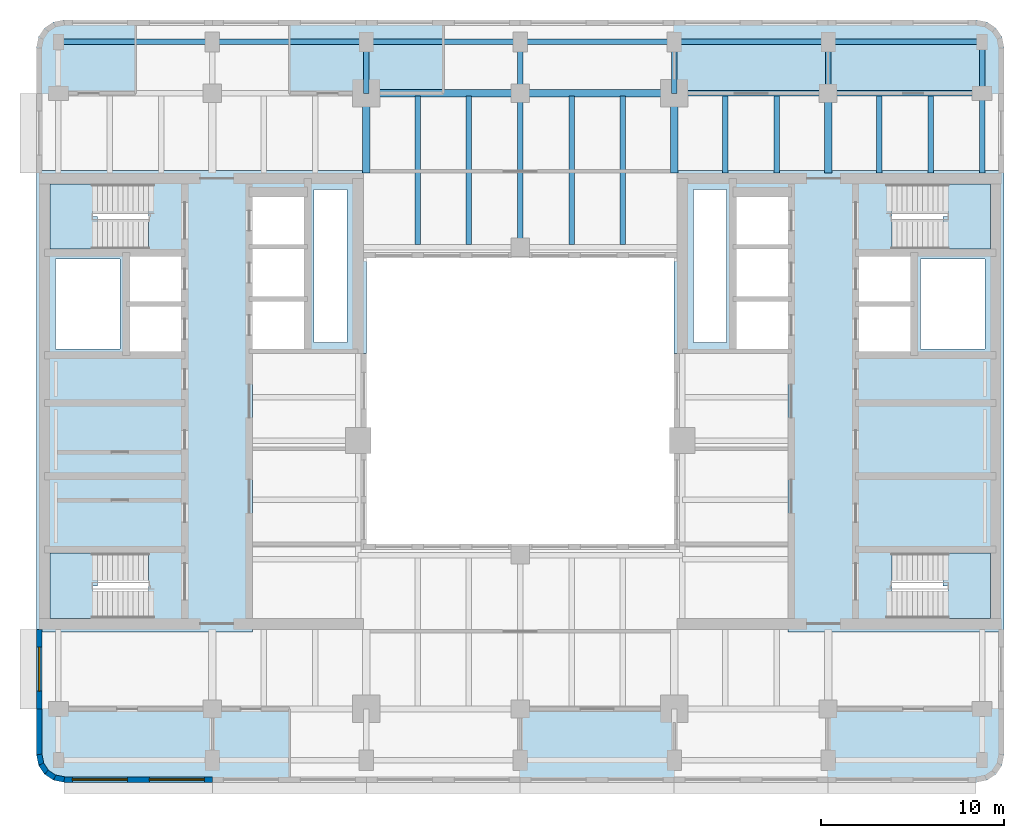
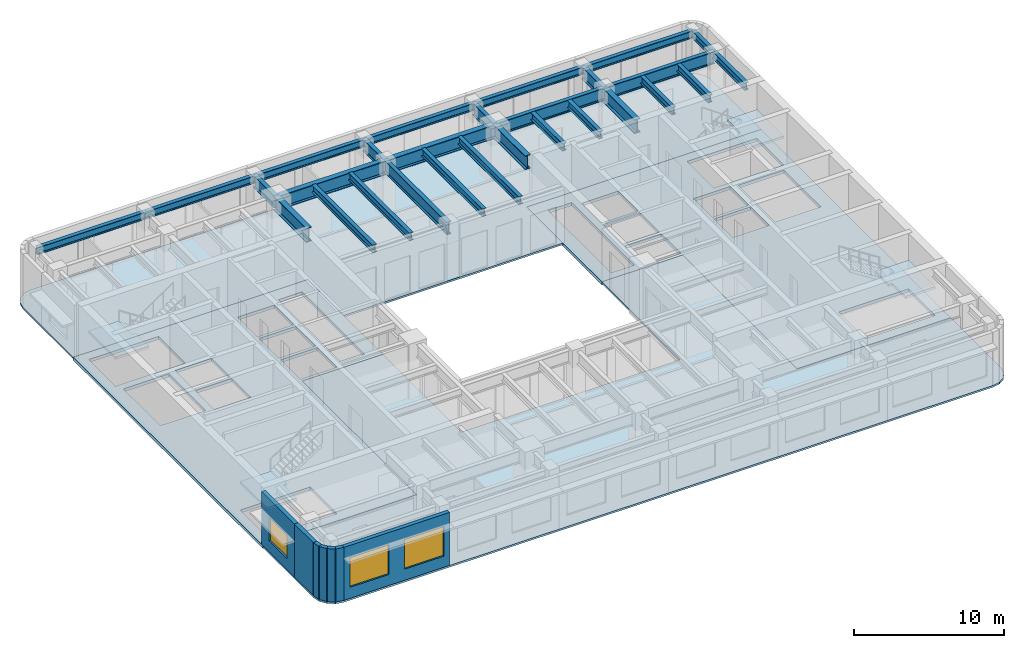
# One storey, part 2 of 13: 28 beams, 8 slabs, 7 walls, 3 windows, 3 openings, 4 elements without a shape of their own.
"""IFC4 building model written with IfcOpenShell, lengths in metres."""

from ifc_helpers import new_model, si_unit, direction, frame, frame_2d, origin, origin_2d, place, context, subcontext, project, spatial, polyline, rectangle, i_section, outline, extrude, material, layer, layer_set, material_profile, profile_set, type_object, element, fill, aggregate, save


model = new_model("IFC4")

# Units and contexts
model_context = context("Model", 3, precision=1e-05, world=origin(), true_north=direction((0.0, 1.0)))
body_context = subcontext(model_context, "Body", "Model", "MODEL_VIEW")
ifc_project = project(units=[si_unit("LENGTHUNIT", "METRE"), si_unit("AREAUNIT", "SQUARE_METRE"), si_unit("VOLUMEUNIT", "CUBIC_METRE"), si_unit("PLANEANGLEUNIT", "RADIAN"), si_unit("MASSUNIT", "GRAM", prefix="KILO")], contexts=[model_context])

# Site, building, storey
site_placement = place(None, origin())
site = spatial("IfcSite", under=ifc_project, at=site_placement, CompositionType="ELEMENT")
building_placement = place(site_placement, origin())
building = spatial("IfcBuilding", under=site, at=building_placement, Name="Claustro Exchange Tower", CompositionType="ELEMENT")
storey_placement = place(building_placement, frame((0.0, 0.0, 277.199951171875)))
storey = spatial("IfcBuildingStorey", under=building, at=storey_placement, Name="L63", CompositionType="ELEMENT", Elevation=277.199951171875)

# Beams
ifc_material_1 = material(Name="Steel S355", Category="steel")
ifc_material_profile_1 = material_profile(ifc_material_1, i_section(OverallWidth=0.300048828125, OverallDepth=0.60009765625, WebThickness=0.015380859375, FlangeThickness=0.030029296875, FilletRadius=0.027099609375, at=origin_2d()), Name="HE 600 B")
ifc_profile_set_1 = profile_set([ifc_material_profile_1], Name="Steel S355")
beam_type_1 = type_object("IfcBeamType", Name="B22 HE 600 B secondary beam", PredefinedType="BEAM", material=ifc_profile_set_1)
for number, where, z_axis, x_axis, name in (
    (1, (19.60009765625, 33.75, 4.0), (0.0, 1.0, 0.0), (-1.0, 0.0, 0.0), "Beam B22 L64"),
    (2, (22.39990234375, 33.75, 4.0), (0.0, 1.0, 0.0), (-1.0, 0.0, 0.0), "Beam B22 L64"),
    (3, (28.0, 33.75, 4.0), (0.0, 1.0, 0.0), (-1.0, 0.0, 0.0), "Beam B22 L64"),
    (4, (30.800048828125, 33.75, 4.0), (0.0, 1.0, 0.0), (-1.0, 0.0, 0.0), "Beam B22 L64"),
):
    element("IfcBeam", number, at=place(storey_placement, frame(where, z_axis=z_axis, x_axis=x_axis)), inside=storey, type_object=beam_type_1, Name=name, PredefinedType="BEAM", context=body_context, shape_type="SweptSolid", body=[
        extrude(i_section(OverallWidth=0.300048828125, OverallDepth=0.60009765625, WebThickness=0.015380859375, FlangeThickness=0.030029296875, FilletRadius=0.027099609375, at=origin_2d()), origin(), (0.0, 0.0, 1.0), 8.09912109375),
    ])
for number, where, z_axis, x_axis, name in (
    (5, (36.39990234375, 37.64990234375, 4.0), (0.0, 1.0, 0.0), (-1.0, 0.0, 0.0), "Beam B22 L64"),
    (6, (39.199951171875, 37.64990234375, 4.0), (0.0, 1.0, 0.0), (-1.0, 0.0, 0.0), "Beam B22 L64"),
    (7, (44.800048828125, 37.64990234375, 4.0), (0.0, 1.0, 0.0), (-1.0, 0.0, 0.0), "Beam B22 L64"),
    (8, (47.60009765625, 37.64990234375, 4.0), (0.0, 1.0, 0.0), (-1.0, 0.0, 0.0), "Beam B22 L64"),
):
    element("IfcBeam", number, at=place(storey_placement, frame(where, z_axis=z_axis, x_axis=x_axis)), inside=storey, type_object=beam_type_1, Name=name, PredefinedType="BEAM", context=body_context, shape_type="SweptSolid", body=[
        extrude(i_section(OverallWidth=0.300048828125, OverallDepth=0.60009765625, WebThickness=0.015380859375, FlangeThickness=0.030029296875, FilletRadius=0.027099609375, at=origin_2d()), origin(), (0.0, 0.0, 1.0), 4.19921875),
    ])
ifc_material_2 = material(Name="Steel S355", Category="steel")
ifc_material_profile_2 = material_profile(ifc_material_2, i_section(OverallWidth=0.302001953125, OverallDepth=1.008056640625, WebThickness=0.02099609375, FlangeThickness=0.0400390625, FilletRadius=0.030029296875, at=origin_2d()), Name="HE 1000 M")
ifc_profile_set_2 = profile_set([ifc_material_profile_2], Name="Steel S355")
beam_type_2 = type_object("IfcBeamType", Name="B23 HE 1000 M floor girder", PredefinedType="BEAM", material=ifc_profile_set_2)
beam_1_placement = place(storey_placement, frame((16.800048828125, 42.0, 3.796142578125), z_axis=(0.0, 1.0, 0.0), x_axis=(-1.0, 0.0, 0.0)))
element("IfcBeam", 9, at=beam_1_placement, inside=storey, type_object=beam_type_2, Name="Beam B23 L64", PredefinedType="BEAM", context=body_context, shape_type="SweptSolid", body=[
    extrude(i_section(OverallWidth=0.302001953125, OverallDepth=1.008056640625, WebThickness=0.02099609375, FlangeThickness=0.0400390625, FilletRadius=0.030029296875, at=origin_2d()), origin(), (0.0, 0.0, 1.0), 2.800048828125),
])
beam_2_placement = place(storey_placement, frame((25.199951171875, 33.60009765625, 3.796142578125), z_axis=(0.0, 1.0, 0.0), x_axis=(-1.0, 0.0, 0.0)))
element("IfcBeam", 10, at=beam_2_placement, inside=storey, type_object=beam_type_2, Name="Beam B23 L64", PredefinedType="BEAM", context=body_context, shape_type="SweptSolid", body=[
    extrude(i_section(OverallWidth=0.302001953125, OverallDepth=1.008056640625, WebThickness=0.02099609375, FlangeThickness=0.0400390625, FilletRadius=0.030029296875, at=origin_2d()), origin(), (0.0, 0.0, 1.0), 8.39990234375),
])
for number, where, z_axis, x_axis, name in (
    (11, (25.199951171875, 42.0, 3.796142578125), (0.0, 1.0, 0.0), (-1.0, 0.0, 0.0), "Beam B23 L64"),
    (12, (33.60009765625, 42.0, 3.796142578125), (0.0, 1.0, 0.0), (-1.0, 0.0, 0.0), "Beam B23 L64"),
    (13, (42.0, 42.0, 3.796142578125), (0.0, 1.0, 0.0), (-1.0, 0.0, 0.0), "Beam B23 L64"),
):
    element("IfcBeam", number, at=place(storey_placement, frame(where, z_axis=z_axis, x_axis=x_axis)), inside=storey, type_object=beam_type_2, Name=name, PredefinedType="BEAM", context=body_context, shape_type="SweptSolid", body=[
        extrude(i_section(OverallWidth=0.302001953125, OverallDepth=1.008056640625, WebThickness=0.02099609375, FlangeThickness=0.0400390625, FilletRadius=0.030029296875, at=origin_2d()), origin(), (0.0, 0.0, 1.0), 2.800048828125),
    ])
for number, where, z_axis, x_axis, name in (
    (14, (33.60009765625, 42.0, 3.796142578125), (1.0, 0.0, 0.0), (0.0, 1.0, 0.0), "Beam B23 L64"),
    (15, (42.0, 42.0, 3.796142578125), (1.0, 0.0, 0.0), (0.0, 1.0, 0.0), "Beam B23 L64"),
):
    element("IfcBeam", number, at=place(storey_placement, frame(where, z_axis=z_axis, x_axis=x_axis)), inside=storey, type_object=beam_type_2, Name=name, PredefinedType="BEAM", context=body_context, shape_type="SweptSolid", body=[
        extrude(i_section(OverallWidth=0.302001953125, OverallDepth=1.008056640625, WebThickness=0.02099609375, FlangeThickness=0.0400390625, FilletRadius=0.030029296875, at=origin_2d()), origin(), (0.0, 0.0, 1.0), 8.39990234375),
    ])
ifc_material_3 = material(Name="Steel S355", Category="steel")
ifc_material_profile_3 = material_profile(ifc_material_3, i_section(OverallWidth=0.405029296875, OverallDepth=1.117919921875, WebThickness=0.02587890625, FlangeThickness=0.044921875, FilletRadius=0.02001953125, at=origin_2d()), Name="HL 1100 R")
ifc_profile_set_3 = profile_set([ifc_material_profile_3], Name="Steel S355")
beam_type_3 = type_object("IfcBeamType", Name="B23A HL 1100 R floor girder", PredefinedType="BEAM", material=ifc_profile_set_3)
beam_3_placement = place(storey_placement, frame((16.800048828125, 42.0, 3.740966796875), z_axis=(1.0, 0.0, 0.0), x_axis=(0.0, 1.0, 0.0)))
element("IfcBeam", 16, at=beam_3_placement, inside=storey, type_object=beam_type_3, Name="Beam B23A L64", PredefinedType="BEAM", context=body_context, shape_type="SweptSolid", body=[
    extrude(i_section(OverallWidth=0.405029296875, OverallDepth=1.117919921875, WebThickness=0.02587890625, FlangeThickness=0.044921875, FilletRadius=0.02001953125, at=origin_2d()), origin(), (0.0, 0.0, 1.0), 8.39990234375),
])
beam_4_placement = place(storey_placement, frame((25.199951171875, 42.0, 3.740966796875), z_axis=(1.0, 0.0, 0.0), x_axis=(0.0, 1.0, 0.0)))
element("IfcBeam", 17, at=beam_4_placement, inside=storey, type_object=beam_type_3, Name="Beam B23A L64", PredefinedType="BEAM", context=body_context, shape_type="SweptSolid", body=[
    extrude(i_section(OverallWidth=0.405029296875, OverallDepth=1.117919921875, WebThickness=0.02587890625, FlangeThickness=0.044921875, FilletRadius=0.02001953125, at=origin_2d()), origin(), (0.0, 0.0, 1.0), 8.400146484375),
])
ifc_material_4 = material(Name="Steel S355", Category="steel")
ifc_material_profile_4 = material_profile(ifc_material_4, i_section(OverallWidth=0.405029296875, OverallDepth=1.117919921875, WebThickness=0.02587890625, FlangeThickness=0.044921875, FilletRadius=0.02001953125, at=origin_2d()), Name="HL 1100 R")
ifc_profile_set_4 = profile_set([ifc_material_profile_4], Name="Steel S355")
beam_type_4 = type_object("IfcBeamType", Name="B30 HL 1100 R tank room girder to core", PredefinedType="BEAM", material=ifc_profile_set_4)
for number, where, z_axis, x_axis, name in (
    (18, (16.800048828125, 37.64990234375, 3.740966796875), (0.0, 1.0, 0.0), (-1.0, 0.0, 0.0), "Beam B30 L64"),
    (19, (33.60009765625, 37.64990234375, 3.740966796875), (0.0, 1.0, 0.0), (-1.0, 0.0, 0.0), "Beam B30 L64"),
    (20, (42.0, 37.64990234375, 3.740966796875), (0.0, 1.0, 0.0), (-1.0, 0.0, 0.0), "Beam B30 L64"),
):
    element("IfcBeam", number, at=place(storey_placement, frame(where, z_axis=z_axis, x_axis=x_axis)), inside=storey, type_object=beam_type_4, Name=name, PredefinedType="BEAM", context=body_context, shape_type="SweptSolid", body=[
        extrude(i_section(OverallWidth=0.405029296875, OverallDepth=1.117919921875, WebThickness=0.02587890625, FlangeThickness=0.044921875, FilletRadius=0.02001953125, at=origin_2d()), origin(), (0.0, 0.0, 1.0), 4.35009765625),
    ])
ifc_material_5 = material(Name="Steel S355", Category="steel")
ifc_material_profile_5 = material_profile(ifc_material_5, i_section(OverallWidth=0.300048828125, OverallDepth=0.60009765625, WebThickness=0.015380859375, FlangeThickness=0.030029296875, FilletRadius=0.027099609375, at=origin_2d()), Name="HE 600 B")
ifc_profile_set_5 = profile_set([ifc_material_profile_5], Name="Steel S355")
beam_type_5 = type_object("IfcBeamType", Name="B6 HE 600 B spandrel edge girder", PredefinedType="SPANDREL", material=ifc_profile_set_5)
beam_5_placement = place(storey_placement, frame((50.39990234375, 37.64990234375, 4.0), z_axis=(0.0, 1.0, 0.0), x_axis=(-1.0, 0.0, 0.0)))
element("IfcBeam", 21, at=beam_5_placement, inside=storey, type_object=beam_type_5, Name="Beam B6 L64", PredefinedType="SPANDREL", context=body_context, shape_type="SweptSolid", body=[
    extrude(i_section(OverallWidth=0.300048828125, OverallDepth=0.60009765625, WebThickness=0.015380859375, FlangeThickness=0.030029296875, FilletRadius=0.027099609375, at=origin_2d()), origin(), (0.0, 0.0, 1.0), 4.35009765625),
])
beam_6_placement = place(storey_placement, frame((50.39990234375, 42.0, 4.0), z_axis=(0.0, 1.0, 0.0), x_axis=(-1.0, 0.0, 0.0)))
element("IfcBeam", 22, at=beam_6_placement, inside=storey, type_object=beam_type_5, Name="Beam B6 L64", PredefinedType="SPANDREL", context=body_context, shape_type="SweptSolid", body=[
    extrude(i_section(OverallWidth=0.300048828125, OverallDepth=0.60009765625, WebThickness=0.015380859375, FlangeThickness=0.030029296875, FilletRadius=0.027099609375, at=origin_2d()), origin(), (0.0, 0.0, 1.0), 2.800048828125),
])
beam_7_placement = place(storey_placement, frame((0.0, 44.800048828125, 4.0), z_axis=(1.0, 0.0, 0.0), x_axis=(0.0, 1.0, 0.0)))
element("IfcBeam", 23, at=beam_7_placement, inside=storey, type_object=beam_type_5, Name="Beam B6 L64", PredefinedType="SPANDREL", context=body_context, shape_type="SweptSolid", body=[
    extrude(i_section(OverallWidth=0.300048828125, OverallDepth=0.60009765625, WebThickness=0.015380859375, FlangeThickness=0.030029296875, FilletRadius=0.027099609375, at=origin_2d()), origin(), (0.0, 0.0, 1.0), 8.39990234375),
])
beam_8_placement = place(storey_placement, frame((8.39990234375, 44.800048828125, 4.0), z_axis=(1.0, 0.0, 0.0), x_axis=(0.0, 1.0, 0.0)))
element("IfcBeam", 24, at=beam_8_placement, inside=storey, type_object=beam_type_5, Name="Beam B6 L64", PredefinedType="SPANDREL", context=body_context, shape_type="SweptSolid", body=[
    extrude(i_section(OverallWidth=0.300048828125, OverallDepth=0.60009765625, WebThickness=0.015380859375, FlangeThickness=0.030029296875, FilletRadius=0.027099609375, at=origin_2d()), origin(), (0.0, 0.0, 1.0), 8.400146484375),
])
beam_9_placement = place(storey_placement, frame((16.800048828125, 44.800048828125, 4.0), z_axis=(1.0, 0.0, 0.0), x_axis=(0.0, 1.0, 0.0)))
element("IfcBeam", 25, at=beam_9_placement, inside=storey, type_object=beam_type_5, Name="Beam B6 L64", PredefinedType="SPANDREL", context=body_context, shape_type="SweptSolid", body=[
    extrude(i_section(OverallWidth=0.300048828125, OverallDepth=0.60009765625, WebThickness=0.015380859375, FlangeThickness=0.030029296875, FilletRadius=0.027099609375, at=origin_2d()), origin(), (0.0, 0.0, 1.0), 8.39990234375),
])
beam_10_placement = place(storey_placement, frame((25.199951171875, 44.800048828125, 4.0), z_axis=(1.0, 0.0, 0.0), x_axis=(0.0, 1.0, 0.0)))
element("IfcBeam", 26, at=beam_10_placement, inside=storey, type_object=beam_type_5, Name="Beam B6 L64", PredefinedType="SPANDREL", context=body_context, shape_type="SweptSolid", body=[
    extrude(i_section(OverallWidth=0.300048828125, OverallDepth=0.60009765625, WebThickness=0.015380859375, FlangeThickness=0.030029296875, FilletRadius=0.027099609375, at=origin_2d()), origin(), (0.0, 0.0, 1.0), 8.400146484375),
])
for number, where, z_axis, x_axis, name in (
    (27, (33.60009765625, 44.800048828125, 4.0), (1.0, 0.0, 0.0), (0.0, 1.0, 0.0), "Beam B6 L64"),
    (28, (42.0, 44.800048828125, 4.0), (1.0, 0.0, 0.0), (0.0, 1.0, 0.0), "Beam B6 L64"),
):
    element("IfcBeam", number, at=place(storey_placement, frame(where, z_axis=z_axis, x_axis=x_axis)), inside=storey, type_object=beam_type_5, Name=name, PredefinedType="SPANDREL", context=body_context, shape_type="SweptSolid", body=[
        extrude(i_section(OverallWidth=0.300048828125, OverallDepth=0.60009765625, WebThickness=0.015380859375, FlangeThickness=0.030029296875, FilletRadius=0.027099609375, at=origin_2d()), origin(), (0.0, 0.0, 1.0), 8.39990234375),
    ])

# Slabs
ifc_material_6 = material(Name="Concrete HA-50 (C50/60)", Category="concrete")
ifc_layer_1 = layer(ifc_material_6, 0.14990234375)
ifc_layer_set_1 = layer_set([ifc_layer_1], Name="Concrete HA-50 (C50/60)")
slab_type_1 = type_object("IfcSlabType", Name="S2 150 composite floor slab", PredefinedType="FLOOR", material=ifc_layer_set_1)
slab_1_placement = place(storey_placement, frame((0.0, 0.0, -0.14990234375)))
element("IfcSlab", 29, at=slab_1_placement, inside=storey, type_object=slab_type_1, Name="Floor slab S2 S L63", PredefinedType="FLOOR", context=body_context, shape_type="SweptSolid", body=[
    extrude(outline(polyline([(-0.27392578125, 4.51416015625), (0.300048828125, 4.39990234375), (50.10009765625, 4.39990234375), (50.674072265625, 4.51416015625), (51.16064453125, 4.83935546875), (51.48583984375, 5.325927734375), (51.60009765625, 5.89990234375), (51.60009765625, 12.60009765625), (39.800048828125, 12.60009765625), (39.800048828125, 27.800048828125), (33.60009765625, 27.800048828125), (33.60009765625, 17.39990234375), (16.800048828125, 17.39990234375), (16.800048828125, 27.800048828125), (10.60009765625, 27.800048828125), (10.60009765625, 12.60009765625), (-1.199951171875, 12.60009765625), (-1.199951171875, 5.89990234375), (-1.085693359375, 5.325927734375), (-0.7607421875, 4.83935546875), (-0.27392578125, 4.51416015625)])), origin(), (0.0, 0.0, 1.0), 0.14990234375),
])
slab_2_placement = place(storey_placement, frame((0.0, 0.0, -0.14990234375)))
element("IfcSlab", 30, at=slab_2_placement, inside=storey, type_object=slab_type_1, Name="Floor slab S2 N L63", PredefinedType="FLOOR", context=body_context, shape_type="SweptSolid", body=[
    extrude(outline(polyline([(16.800048828125, 37.800048828125), (16.800048828125, 33.0), (33.60009765625, 33.0), (33.60009765625, 37.800048828125), (51.60009765625, 37.800048828125), (51.60009765625, 44.5), (51.48583984375, 45.073974609375), (51.16064453125, 45.560791015625), (50.674072265625, 45.8857421875), (50.10009765625, 46.0), (0.300048828125, 46.0), (-0.27392578125, 45.8857421875), (-0.7607421875, 45.560791015625), (-1.085693359375, 45.073974609375), (-1.199951171875, 44.5), (-1.199951171875, 37.800048828125), (16.800048828125, 37.800048828125)])), origin(), (0.0, 0.0, 1.0), 0.14990234375),
])
ifc_material_7 = material(Name="Concrete HA-50 (C50/60)", Category="concrete")
ifc_layer_2 = layer(ifc_material_7, 0.25)
ifc_layer_set_2 = layer_set([ifc_layer_2], Name="Concrete HA-50 (C50/60)")
slab_type_2 = type_object("IfcSlabType", Name="S7 250 core floor slab", PredefinedType="FLOOR", material=ifc_layer_set_2)
slab_3_placement = place(storey_placement, frame((0.0, 0.0, -0.25)))
element("IfcSlab", 31, at=slab_3_placement, inside=storey, type_object=slab_type_2, Name="Core floor slab S7 W core L63", PredefinedType="FLOOR", context=body_context, shape_type="SweptSolid", body=[
    extrude(outline(polyline([(-1.199951171875, 37.800048828125), (-1.199951171875, 12.60009765625), (10.60009765625, 12.60009765625), (10.60009765625, 27.800048828125), (16.800048828125, 27.800048828125), (16.800048828125, 37.800048828125), (-1.199951171875, 37.800048828125)]), holes=[polyline([(13.949951171875, 36.75), (15.75, 36.75), (15.75, 28.39990234375), (13.949951171875, 28.39990234375), (13.949951171875, 36.75)]), polyline([(10.60009765625, 30.64990234375), (13.39990234375, 30.64990234375), (13.39990234375, 28.050048828125), (10.60009765625, 28.050048828125), (10.60009765625, 30.64990234375)]), polyline([(10.60009765625, 33.5), (13.39990234375, 33.5), (13.39990234375, 30.89990234375), (10.60009765625, 30.89990234375), (10.60009765625, 33.5)]), polyline([(13.39990234375, 36.35009765625), (13.39990234375, 33.75), (10.60009765625, 33.75), (10.60009765625, 36.35009765625), (13.39990234375, 36.35009765625)]), polyline([(3.89990234375, 30.375), (6.699951171875, 30.375), (6.699951171875, 27.89990234375), (3.89990234375, 27.89990234375), (3.89990234375, 30.375)]), polyline([(3.89990234375, 33.10009765625), (6.699951171875, 33.10009765625), (6.699951171875, 30.625), (3.89990234375, 30.625), (3.89990234375, 33.10009765625)]), polyline([(-0.449951171875, 13.35009765625), (-0.449951171875, 15.125), (-0.449951171875, 16.89990234375), (4.9150390625, 16.89990234375), (4.9150390625, 15.125), (4.919921875, 15.125), (4.919921875, 13.35009765625), (-0.449951171875, 13.35009765625)]), polyline([(-0.449951171875, 37.050048828125), (4.919921875, 37.050048828125), (4.919921875, 35.27490234375), (4.9150390625, 35.27490234375), (4.9150390625, 33.5), (-0.449951171875, 33.5), (-0.449951171875, 35.27490234375), (-0.449951171875, 37.050048828125)]), polyline([(-0.14990234375, 32.949951171875), (3.35009765625, 32.949951171875), (3.35009765625, 28.050048828125), (-0.14990234375, 28.050048828125), (-0.14990234375, 32.949951171875)])]), origin(), (0.0, 0.0, 1.0), 0.25),
])
slab_4_placement = place(storey_placement, frame((0.0, 0.0, -0.25)))
element("IfcSlab", 32, at=slab_4_placement, inside=storey, type_object=slab_type_2, Name="Core floor slab S7 E core L63", PredefinedType="FLOOR", context=body_context, shape_type="SweptSolid", body=[
    extrude(outline(polyline([(51.60009765625, 37.800048828125), (33.60009765625, 37.800048828125), (33.60009765625, 27.800048828125), (39.800048828125, 27.800048828125), (39.800048828125, 12.60009765625), (51.60009765625, 12.60009765625), (51.60009765625, 37.800048828125)]), holes=[polyline([(45.47998046875, 15.125), (45.485107421875, 15.125), (45.485107421875, 16.89990234375), (50.85009765625, 16.89990234375), (50.85009765625, 15.125), (50.85009765625, 13.35009765625), (45.47998046875, 13.35009765625), (45.47998046875, 15.125)]), polyline([(45.47998046875, 35.27490234375), (45.47998046875, 37.050048828125), (50.85009765625, 37.050048828125), (50.85009765625, 35.27490234375), (50.85009765625, 33.5), (45.485107421875, 33.5), (45.485107421875, 35.27490234375), (45.47998046875, 35.27490234375)]), polyline([(47.050048828125, 32.949951171875), (50.550048828125, 32.949951171875), (50.550048828125, 28.050048828125), (47.050048828125, 28.050048828125), (47.050048828125, 32.949951171875)]), polyline([(43.699951171875, 30.375), (46.5, 30.375), (46.5, 27.89990234375), (43.699951171875, 27.89990234375), (43.699951171875, 30.375)]), polyline([(43.699951171875, 33.10009765625), (46.5, 33.10009765625), (46.5, 30.625), (43.699951171875, 30.625), (43.699951171875, 33.10009765625)]), polyline([(37.0, 30.64990234375), (39.800048828125, 30.64990234375), (39.800048828125, 28.050048828125), (37.0, 28.050048828125), (37.0, 30.64990234375)]), polyline([(37.0, 33.5), (39.800048828125, 33.5), (39.800048828125, 30.89990234375), (37.0, 30.89990234375), (37.0, 33.5)]), polyline([(39.800048828125, 36.35009765625), (39.800048828125, 33.75), (37.0, 33.75), (37.0, 36.35009765625), (39.800048828125, 36.35009765625)]), polyline([(34.64990234375, 36.75), (36.449951171875, 36.75), (36.449951171875, 28.39990234375), (34.64990234375, 28.39990234375), (34.64990234375, 36.75)])]), origin(), (0.0, 0.0, 1.0), 0.25),
])

# Stair, slab
ifc_material_8 = material(Name="Concrete HA-30 (C30/37), precast", Category="concrete")
stair_type = type_object("IfcStairType", Name="ST2 half-turn stair, 25 risers of 180", PredefinedType="HALF_TURN_STAIR", material=ifc_material_8)
stair_1_placement = place(storey_placement, origin())
stair_1 = element("IfcStair", 33, at=stair_1_placement, inside=storey, type_object=stair_type, Name="Stair STWA L63", PredefinedType="HALF_TURN_STAIR")
ifc_material_9 = material(Name="Concrete HA-30 (C30/37), precast", Category="concrete")
ifc_layer_3 = layer(ifc_material_9, 0.199951171875)
ifc_layer_set_3 = layer_set([ifc_layer_3], Name="Concrete HA-30 (C30/37), precast")
slab_type_3 = type_object("IfcSlabType", Name="S9 200 stair landing", PredefinedType="LANDING", material=ifc_layer_set_3)
slab_5_placement = place(storey_placement, frame((0.0, 0.0, 2.14013671875)))
slab_5 = element("IfcSlab", 34, at=slab_5_placement, type_object=slab_type_3, Name="STWA landing 1", PredefinedType="LANDING", context=body_context, shape_type="SweptSolid", body=[
    extrude(outline(polyline([(1.844970703125, 13.35009765625), (-0.449951171875, 13.35009765625), (-0.449951171875, 16.89990234375), (1.840087890625, 16.89990234375), (1.844970703125, 16.89990234375), (2.1201171875, 16.89990234375), (2.1201171875, 15.125), (1.844970703125, 15.125), (1.844970703125, 13.35009765625)])), origin(), (0.0, 0.0, 1.0), 0.199951171875),
])
aggregate(stair_1, [slab_5])

stair_2_placement = place(storey_placement, origin())
stair_2 = element("IfcStair", 35, at=stair_2_placement, inside=storey, type_object=stair_type, Name="Stair STWB L63", PredefinedType="HALF_TURN_STAIR")
slab_6_placement = place(storey_placement, frame((0.0, 0.0, 2.14013671875)))
slab_6 = element("IfcSlab", 36, at=slab_6_placement, type_object=slab_type_3, Name="STWB landing 1", PredefinedType="LANDING", context=body_context, shape_type="SweptSolid", body=[
    extrude(outline(polyline([(2.1201171875, 35.27490234375), (2.1201171875, 33.5), (1.844970703125, 33.5), (1.840087890625, 33.5), (-0.449951171875, 33.5), (-0.449951171875, 37.050048828125), (1.844970703125, 37.050048828125), (1.844970703125, 35.27490234375), (2.1201171875, 35.27490234375)])), origin(), (0.0, 0.0, 1.0), 0.199951171875),
])
aggregate(stair_2, [slab_6])

stair_3_placement = place(storey_placement, origin())
stair_3 = element("IfcStair", 37, at=stair_3_placement, inside=storey, type_object=stair_type, Name="Stair STEA L63", PredefinedType="HALF_TURN_STAIR")
slab_7_placement = place(storey_placement, frame((0.0, 0.0, 2.14013671875)))
slab_7 = element("IfcSlab", 38, at=slab_7_placement, type_object=slab_type_3, Name="STEA landing 1", PredefinedType="LANDING", context=body_context, shape_type="SweptSolid", body=[
    extrude(outline(polyline([(50.85009765625, 16.89990234375), (50.85009765625, 13.35009765625), (48.554931640625, 13.35009765625), (48.554931640625, 15.125), (48.280029296875, 15.125), (48.280029296875, 16.89990234375), (48.554931640625, 16.89990234375), (48.56005859375, 16.89990234375), (50.85009765625, 16.89990234375)])), origin(), (0.0, 0.0, 1.0), 0.199951171875),
])
aggregate(stair_3, [slab_7])

stair_4_placement = place(storey_placement, origin())
stair_4 = element("IfcStair", 39, at=stair_4_placement, inside=storey, type_object=stair_type, Name="Stair STEB L63", PredefinedType="HALF_TURN_STAIR")
slab_8_placement = place(storey_placement, frame((0.0, 0.0, 2.14013671875)))
slab_8 = element("IfcSlab", 40, at=slab_8_placement, type_object=slab_type_3, Name="STEB landing 1", PredefinedType="LANDING", context=body_context, shape_type="SweptSolid", body=[
    extrude(outline(polyline([(48.280029296875, 33.5), (48.280029296875, 35.27490234375), (48.554931640625, 35.27490234375), (48.554931640625, 37.050048828125), (50.85009765625, 37.050048828125), (50.85009765625, 33.5), (48.56005859375, 33.5), (48.554931640625, 33.5), (48.280029296875, 33.5)])), origin(), (0.0, 0.0, 1.0), 0.199951171875),
])
aggregate(stair_4, [slab_8])

# Wall, openings, windows
ifc_material_10 = material(Name="Concrete HA-40 (C40/50), precast, white cement, acid-etched", Category="concrete")
ifc_layer_4 = layer(ifc_material_10, 0.300048828125)
ifc_layer_set_4 = layer_set([ifc_layer_4], Name="Concrete HA-40 (C40/50), precast, white cement, acid-etched")
wall_type = type_object("IfcWallType", Name="PC1 300 precast concrete pier panel", PredefinedType="SOLIDWALL", material=ifc_layer_set_4)
wall_1_placement = place(storey_placement, frame((8.39990234375, 4.550048828125, 0.0), z_axis=(0.0, 0.0, 1.0), x_axis=(-1.0, 0.0, 0.0)))
wall_1 = element("IfcWall", 41, at=wall_1_placement, inside=storey, type_object=wall_type, Name="Precast pier panel PC1 L63", PredefinedType="SOLIDWALL", context=body_context, shape_type="SweptSolid", body=[
    extrude(rectangle(XDim=8.085205078125, YDim=0.300048828125, at=frame_2d((4.04248046875, 0.0))), origin(), (0.0, 0.0, 1.0), 4.300048828125),
])
opening_1_placement = place(wall_1_placement, frame((0.442626953125, 0.0, 0.89990234375)))
opening_1 = element("IfcOpeningElement", 42, at=opening_1_placement, cuts=wall_1, Name="Opening W3", PredefinedType="OPENING", context=body_context, shape_type="SweptSolid", body=[
    extrude(rectangle(XDim=3.0, YDim=2.39990234375, at=frame_2d((1.5, 1.199951171875))), frame((0.0, 0.159912109375, 0.0), z_axis=(0.0, -1.0, 0.0), x_axis=(1.0, 0.0, 0.0)), (0.0, 0.0, 1.0), 0.320068359375),
])
opening_2_placement = place(wall_1_placement, frame((4.642578125, 0.0, 0.89990234375)))
opening_2 = element("IfcOpeningElement", 43, at=opening_2_placement, cuts=wall_1, Name="Opening W3", PredefinedType="OPENING", context=body_context, shape_type="SweptSolid", body=[
    extrude(rectangle(XDim=3.0, YDim=2.39990234375, at=frame_2d((1.5, 1.199951171875))), frame((0.0, 0.159912109375, 0.0), z_axis=(0.0, -1.0, 0.0), x_axis=(1.0, 0.0, 0.0)), (0.0, 0.0, 1.0), 0.320068359375),
])
ifc_material_11 = material(Name="Aluminium frame, clear double glazing", Category="aluminium")
window_type_1 = type_object("IfcWindowType", Name="W3 3000 x 2400 window", PartitioningType="SINGLE_PANEL", PredefinedType="WINDOW", material=ifc_material_11)
window_1_placement = place(opening_1_placement, origin())
window_1 = element("IfcWindow", 44, at=window_1_placement, inside=storey, type_object=window_type_1, Name="Window W3 L63", OverallHeight=2.39990234375, OverallWidth=3.0, PartitioningType="SINGLE_PANEL", PredefinedType="WINDOW", context=body_context, shape_type="SweptSolid", body=[
    extrude(rectangle(XDim=3.0, YDim=2.39990234375, at=frame_2d((1.5, 1.199951171875))), frame((0.0, 0.030029296875, 0.0), z_axis=(0.0, -1.0, 0.0), x_axis=(1.0, 0.0, 0.0)), (0.0, 0.0, 1.0), 0.06005859375),
])
fill(opening_1, window_1)
window_2_placement = place(opening_2_placement, origin())
window_2 = element("IfcWindow", 45, at=window_2_placement, inside=storey, type_object=window_type_1, Name="Window W3 L63", OverallHeight=2.39990234375, OverallWidth=3.0, PartitioningType="SINGLE_PANEL", PredefinedType="WINDOW", context=body_context, shape_type="SweptSolid", body=[
    extrude(rectangle(XDim=3.0, YDim=2.39990234375, at=frame_2d((1.5, 1.199951171875))), frame((0.0, 0.030029296875, 0.0), z_axis=(0.0, -1.0, 0.0), x_axis=(1.0, 0.0, 0.0)), (0.0, 0.0, 1.0), 0.06005859375),
])
fill(opening_2, window_2)

# Walls
wall_2_placement = place(storey_placement, frame((0.314697265625, 4.550048828125, 0.0), z_axis=(0.0, 0.0, 1.0), x_axis=(-0.980788534345, 0.195073962632, 0.0)))
element("IfcWall", 46, at=wall_2_placement, inside=storey, type_object=wall_type, Name="Precast pier panel PC1 L63", PredefinedType="SOLIDWALL", context=body_context, shape_type="SweptSolid", body=[
    extrude(rectangle(XDim=0.540771484375, YDim=0.300048828125, at=frame_2d((0.2705078125, 0.0))), origin(), (0.0, 0.0, 1.0), 4.300048828125),
])
for number, where, z_axis, x_axis, name in (
    (47, (-0.215576171875, 4.655517578125, 0.0), (0.0, 0.0, 1.0), (-0.831478144188, 0.555557463938, 0.0), "Precast pier panel PC1 L63"),
    (48, (-0.652587890625, 4.947509765625, 0.0), (0.0, 0.0, 1.0), (-0.555557463938, 0.831478144188, 0.0), "Precast pier panel PC1 L63"),
):
    element("IfcWall", number, at=place(storey_placement, frame(where, z_axis=z_axis, x_axis=x_axis)), inside=storey, type_object=wall_type, Name=name, PredefinedType="SOLIDWALL", context=body_context, shape_type="SweptSolid", body=[
        extrude(rectangle(XDim=0.525634765625, YDim=0.300048828125, at=frame_2d((0.2626953125, 0.0))), origin(), (0.0, 0.0, 1.0), 4.300048828125),
    ])
wall_3_placement = place(storey_placement, frame((-0.944580078125, 5.384521484375, 0.0), z_axis=(0.0, 0.0, 1.0), x_axis=(-0.195073962632, 0.980788534345, 0.0)))
element("IfcWall", 49, at=wall_3_placement, inside=storey, type_object=wall_type, Name="Precast pier panel PC1 L63", PredefinedType="SOLIDWALL", context=body_context, shape_type="SweptSolid", body=[
    extrude(rectangle(XDim=0.540771484375, YDim=0.300048828125, at=frame_2d((0.2705078125, 0.0))), origin(), (0.0, 0.0, 1.0), 4.300048828125),
])
wall_4_placement = place(storey_placement, frame((-1.050048828125, 5.914794921875, 0.0), z_axis=(0.0, 0.0, 1.0), x_axis=(0.0, 1.0, 0.0)))
element("IfcWall", 50, at=wall_4_placement, inside=storey, type_object=wall_type, Name="Precast pier panel PC1 L63", PredefinedType="SOLIDWALL", context=body_context, shape_type="SweptSolid", body=[
    extrude(rectangle(XDim=2.485107421875, YDim=0.300048828125, at=frame_2d((1.24267578125, 0.0))), origin(), (0.0, 0.0, 1.0), 4.300048828125),
])

# Wall, opening, window
wall_5_placement = place(storey_placement, frame((-1.050048828125, 8.39990234375, 0.0), z_axis=(0.0, 0.0, 1.0), x_axis=(0.0, 1.0, 0.0)))
wall_5 = element("IfcWall", 51, at=wall_5_placement, inside=storey, type_object=wall_type, Name="Precast pier panel PC1 L63", PredefinedType="SOLIDWALL", context=body_context, shape_type="SweptSolid", body=[
    extrude(rectangle(XDim=4.35009765625, YDim=0.300048828125, at=frame_2d((2.175048828125, 0.0))), origin(), (0.0, 0.0, 1.0), 4.300048828125),
])
opening_3_placement = place(wall_5_placement, frame((0.97509765625, 0.0, 0.89990234375)))
opening_3 = element("IfcOpeningElement", 52, at=opening_3_placement, cuts=wall_5, Name="Opening W2", PredefinedType="OPENING", context=body_context, shape_type="SweptSolid", body=[
    extrude(rectangle(XDim=2.39990234375, YDim=1.89990234375, at=frame_2d((1.199951171875, 0.949951171875))), frame((0.0, 0.159912109375, 0.0), z_axis=(0.0, -1.0, 0.0), x_axis=(1.0, 0.0, 0.0)), (0.0, 0.0, 1.0), 0.320068359375),
])
ifc_material_12 = material(Name="Aluminium frame, clear double glazing", Category="aluminium")
window_type_2 = type_object("IfcWindowType", Name="W2 2400 x 1900 window", PartitioningType="SINGLE_PANEL", PredefinedType="WINDOW", material=ifc_material_12)
window_3_placement = place(opening_3_placement, origin())
window_3 = element("IfcWindow", 53, at=window_3_placement, inside=storey, type_object=window_type_2, Name="Window W2 L63", OverallHeight=1.89990234375, OverallWidth=2.39990234375, PartitioningType="SINGLE_PANEL", PredefinedType="WINDOW", context=body_context, shape_type="SweptSolid", body=[
    extrude(rectangle(XDim=2.39990234375, YDim=1.89990234375, at=frame_2d((1.199951171875, 0.949951171875))), frame((0.0, 0.030029296875, 0.0), z_axis=(0.0, -1.0, 0.0), x_axis=(1.0, 0.0, 0.0)), (0.0, 0.0, 1.0), 0.06005859375),
])
fill(opening_3, window_3)

save(model, "model.ifc")
